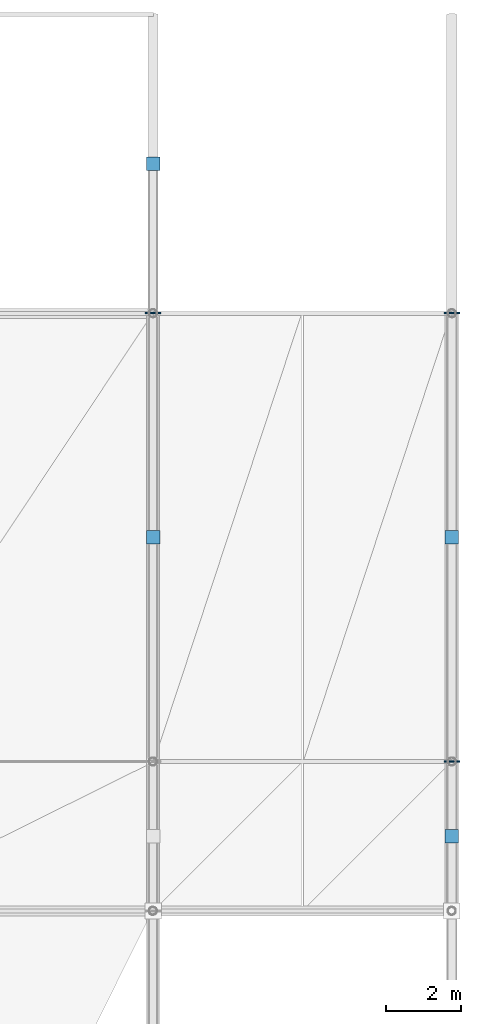
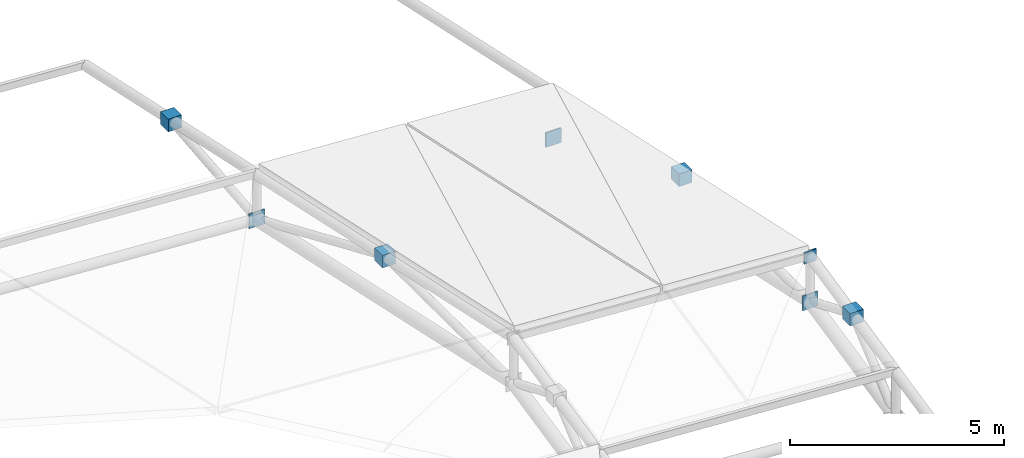
# One storey, part 62 of 67: 8 discrete accessories.
"""IFC4 building model written with IfcOpenShell, lengths in metres."""

import ifcopenshell
import ifcopenshell.guid

model = None  # the IFC model being written
_history = None  # IfcOwnerHistory: only IFC2X3 demands one
_inside = {}  # id of a spatial element -> (the spatial element, [elements in it])
_under = {}  # id of a project, library or spatial element -> (it, [spatial elements below it])
_declared = {}  # id of a project -> (the project, [libraries it declares])
_typed = {}  # id of a type object -> (the type object, [elements of that type])
_made_of = {}  # id of a material, layer set ... -> (it, [elements and type objects made of it])


def new_model(schema):
    """Start an empty IFC model of exactly this schema.

    Asked for "IFC4X3", IfcOpenShell would pick the latest addendum, in which some entities
    have other attributes; the version numbers below select the first issue.
    IFC2X3 requires an IfcOwnerHistory on every rooted entity: one is made here for all.
    """
    global model, _history
    if schema == "IFC4X3":
        model = ifcopenshell.file(schema_version=(4, 3, 0, 0))
    else:
        model = ifcopenshell.file(schema=schema)
    _inside.clear()
    _under.clear()
    _declared.clear()
    _typed.clear()
    _made_of.clear()
    _history = None
    if model.schema == "IFC2X3":
        org = make("IfcOrganization", Name="unknown")
        user = make(
            "IfcPersonAndOrganization",
            ThePerson=make("IfcPerson", FamilyName="unknown"),
            TheOrganization=org,
        )
        app = make(
            "IfcApplication",
            ApplicationDeveloper=org,
            Version="unknown",
            ApplicationFullName="unknown",
            ApplicationIdentifier="unknown",
        )
        _history = make(
            "IfcOwnerHistory",
            OwningUser=user,
            OwningApplication=app,
            ChangeAction="ADDED",
            CreationDate=0,
        )
    return model


def make(cls, **values):
    """One entity of the class cls with the attributes given. An attribute that is None is left unset."""
    return model.create_entity(
        cls, **{name: value for name, value in values.items() if value is not None}
    )


def rooted(cls, **values):
    """An entity with a GlobalId (a new one), such as an element, a storey or a relation."""
    return make(cls, GlobalId=ifcopenshell.guid.new(), OwnerHistory=_history, **values)


def si_unit(unit_type, name, prefix=None):
    """IfcSIUnit, for example si_unit("LENGTHUNIT", "METRE", prefix="MILLI")."""
    return make("IfcSIUnit", UnitType=unit_type, Prefix=prefix, Name=name)


def assignment(units):
    """IfcUnitAssignment: the units of a project."""
    return None if units is None else make("IfcUnitAssignment", Units=units)


def point(xyz):
    """IfcCartesianPoint."""
    return None if xyz is None else make("IfcCartesianPoint", Coordinates=xyz)


def direction(xyz):
    """IfcDirection."""
    return None if xyz is None else make("IfcDirection", DirectionRatios=xyz)


def frame(location, z_axis=None, x_axis=None):
    """IfcAxis2Placement3D, a coordinate frame: its origin and axes. An axis left out is left unset."""
    return make(
        "IfcAxis2Placement3D",
        Location=point(location),
        Axis=direction(z_axis),
        RefDirection=direction(x_axis),
    )


def frame_2d(location, x_axis=None):
    """IfcAxis2Placement2D, a coordinate frame in the plane: its origin and x axis."""
    return make(
        "IfcAxis2Placement2D", Location=point(location), RefDirection=direction(x_axis)
    )


def origin():
    """The frame at (0, 0, 0) with its axes left unset."""
    return frame((0.0, 0.0, 0.0))


def origin_2d():
    """The frame at (0, 0) in the plane with its x axis left unset."""
    return frame_2d((0.0, 0.0))


def place(relative_to, where):
    """IfcLocalPlacement: puts the frame where relative to a parent placement (None: the world)."""
    return make(
        "IfcLocalPlacement", PlacementRelTo=relative_to, RelativePlacement=where
    )


def context(
    kind, dimensions, precision=None, world=None, true_north=None, identifier=None
):
    """IfcGeometricRepresentationContext, for example the 3D "Model" context."""
    return make(
        "IfcGeometricRepresentationContext",
        ContextIdentifier=identifier,
        ContextType=kind,
        CoordinateSpaceDimension=dimensions,
        Precision=precision,
        WorldCoordinateSystem=world,
        TrueNorth=true_north,
    )


def subcontext(parent, identifier, kind, view, scale=None):
    """IfcGeometricRepresentationSubContext, for example "Body" below "Model"."""
    return make(
        "IfcGeometricRepresentationSubContext",
        ContextIdentifier=identifier,
        ContextType=kind,
        ParentContext=parent,
        TargetScale=scale,
        TargetView=view,
    )


def project(units=None, contexts=None):
    """IfcProject with its units and contexts."""
    return rooted(
        "IfcProject",
        Name="project",
        RepresentationContexts=contexts,
        UnitsInContext=assignment(units),
    )


def spatial(cls, under=None, at=None, **own):
    """A site, building, storey or space (cls), placed at a placement, below another one or the project."""
    s = rooted(cls, ObjectPlacement=at, **own)
    if under is not None:
        _under.setdefault(under.id(), (under, []))[1].append(s)
    return s


def profile(cls, at=None, kind="AREA", **sizes):
    """A parametric profile (cls). Its sizes go by their IFC names, for example OverallWidth=200.0."""
    return make(cls, ProfileType=kind, Position=at, **sizes)


def rectangle(**sizes):
    """IfcRectangleProfileDef."""
    return profile("IfcRectangleProfileDef", **sizes)


def extrude(swept, where, along, depth):
    """IfcExtrudedAreaSolid: the profile swept, set in the frame where, extruded along a direction by depth."""
    return make(
        "IfcExtrudedAreaSolid",
        SweptArea=swept,
        Position=where,
        ExtrudedDirection=direction(along),
        Depth=depth,
    )


def shape(context_of_items, identifier, shape_type, items):
    """IfcShapeRepresentation: the items that make up one representation, for example the "Body"."""
    return make(
        "IfcShapeRepresentation",
        ContextOfItems=context_of_items,
        RepresentationIdentifier=identifier,
        RepresentationType=shape_type,
        Items=items,
    )


def material(Name=None, Category=None):
    """IfcMaterial."""
    return make("IfcMaterial", Name=Name, Category=Category)


def made_of(thing, what):
    """Note that an element or type object is made of a material, layer set ...; save() writes the relation."""
    if what is not None:
        _made_of.setdefault(what.id(), (what, []))[1].append(thing)
    return thing


def type_object(cls, material=None, **own):
    """A type object (cls), such as IfcWallType, which elements share."""
    return made_of(rooted(cls, **own), material)


def element(
    cls,
    number,
    at=None,
    inside=None,
    cuts=None,
    type_object=None,
    material=None,
    context=None,
    identifier="Body",
    shape_type=None,
    held_by="IfcProductDefinitionShape",
    body=None,
    shapes=None,
    **own,
):
    """One element of the class cls, such as IfcWall. Its Tag is "e" and its number.

    at: its placement. inside: the storey or other place that contains it. cuts: it is an
    opening in that element (IfcRelVoidsElement). A single representation is given by context,
    identifier, shape_type and body (its items); several are given by shapes. held_by: the class
    of the entity that holds the representations. save() writes the other relations.
    """
    e = rooted(cls, Tag="e%d" % number, ObjectPlacement=at, **own)
    if body is not None:
        shapes = [shape(context, identifier, shape_type, body)]
    if shapes is not None:
        e.Representation = make(held_by, Representations=shapes)
    if inside is not None:
        _inside.setdefault(inside.id(), (inside, []))[1].append(e)
    if cuts is not None:
        rooted(
            "IfcRelVoidsElement", RelatingBuildingElement=cuts, RelatedOpeningElement=e
        )
    if type_object is not None:
        _typed.setdefault(type_object.id(), (type_object, []))[1].append(e)
    return made_of(e, material)


def aggregate(whole, parts):
    """IfcRelAggregates: a whole, such as a stair, and the parts it consists of."""
    return rooted("IfcRelAggregates", RelatingObject=whole, RelatedObjects=parts)


def save(model, path):
    """Write the relations noted so far, then the file.

    IfcRelAggregates (storeys below a building ...), IfcRelContainedInSpatialStructure (elements
    in a storey), IfcRelDefinesByType, IfcRelAssociatesMaterial and IfcRelDeclares: one each for
    every whole, place, type object, material and project.
    """
    for whole, parts in _under.values():
        aggregate(whole, parts)
    for where, things in _inside.values():
        rooted(
            "IfcRelContainedInSpatialStructure",
            RelatedElements=things,
            RelatingStructure=where,
        )
    for kind, things in _typed.values():
        rooted("IfcRelDefinesByType", RelatedObjects=things, RelatingType=kind)
    for what, things in _made_of.values():
        rooted("IfcRelAssociatesMaterial", RelatedObjects=things, RelatingMaterial=what)
    for by, libraries in _declared.values():
        rooted("IfcRelDeclares", RelatingContext=by, RelatedDefinitions=libraries)
    model.write(path)


model = new_model("IFC4")

# Units and contexts
model_context = context("Model", 3, precision=1e-05, world=origin(), true_north=direction((0.0, 1.0)))
body_context = subcontext(model_context, "Body", "Model", "MODEL_VIEW")
ifc_project = project(units=[si_unit("LENGTHUNIT", "METRE"), si_unit("AREAUNIT", "SQUARE_METRE"), si_unit("VOLUMEUNIT", "CUBIC_METRE"), si_unit("PLANEANGLEUNIT", "RADIAN"), si_unit("MASSUNIT", "GRAM", prefix="KILO")], contexts=[model_context])

# Site, building, storey
site_placement = place(None, origin())
site = spatial("IfcSite", under=ifc_project, at=site_placement, CompositionType="ELEMENT")
building_placement = place(site_placement, origin())
building = spatial("IfcBuilding", under=site, at=building_placement, Name="Drelvath Fold Interchange", CompositionType="ELEMENT")
storey_placement = place(building_placement, frame((0.0, 0.0, 15.60009765625)))
storey = spatial("IfcBuildingStorey", under=building, at=storey_placement, Name="L03", CompositionType="ELEMENT", Elevation=15.60009765625)

# Discrete accessories
ifc_material = material(Name="Steel ASTM A572 Grade 50", Category="steel")
discrete_accessory_type = type_object("IfcDiscreteAccessoryType", Name="AC-CAP380", PredefinedType="BRACKET", material=ifc_material)
discrete_accessory_1_placement = place(storey_placement, frame((166.0, 59.0048828125, -0.215087890625), z_axis=(0.0, 0.0, 1.0), x_axis=(1.0, 0.0, 0.0)))
element("IfcDiscreteAccessory", 1, at=discrete_accessory_1_placement, inside=storey, type_object=discrete_accessory_type, Name="Welded hollow member end cap 255", PredefinedType="BRACKET", context=body_context, shape_type="SweptSolid", body=[
    extrude(rectangle(XDim=0.416015625, YDim=0.0400390625, at=origin_2d()), origin(), (0.0, 0.0, 1.0), 0.416015625),
])
for number, where, z_axis, x_axis, name in (
    (2, (166.0, 53.0048828125, 2.392578125), (0.0, 0.0, 1.0), (1.0, 0.0, 0.0), "Welded hollow member end cap 256"),
    (3, (166.0, 63.0048828125, 0.21240234375), (0.0, 0.0, 1.0), (1.0, 0.0, 0.0), "Welded hollow member end cap 258"),
):
    element("IfcDiscreteAccessory", number, at=place(storey_placement, frame(where, z_axis=z_axis, x_axis=x_axis)), inside=storey, type_object=discrete_accessory_type, Name=name, PredefinedType="BRACKET", context=body_context, shape_type="SweptSolid", body=[
        extrude(rectangle(XDim=0.35888671875, YDim=0.35888671875, at=origin_2d()), origin(), (0.0, 0.0, 1.0), 0.35888671875),
    ])
discrete_accessory_2_placement = place(storey_placement, frame((174.0, 47.0048828125, 1.921875), z_axis=(0.0, 0.0, 1.0), x_axis=(1.0, 0.0, 0.0)))
element("IfcDiscreteAccessory", 4, at=discrete_accessory_2_placement, inside=storey, type_object=discrete_accessory_type, Name="Welded hollow member end cap 268", PredefinedType="BRACKET", context=body_context, shape_type="SweptSolid", body=[
    extrude(rectangle(XDim=0.416015625, YDim=0.0400390625, at=origin_2d()), origin(), (0.0, 0.0, 1.0), 0.416015625),
])
discrete_accessory_3_placement = place(storey_placement, frame((174.0, 47.0048828125, 3.2333984375), z_axis=(0.0, 0.0, 1.0), x_axis=(1.0, 0.0, 0.0)))
element("IfcDiscreteAccessory", 5, at=discrete_accessory_3_placement, inside=storey, type_object=discrete_accessory_type, Name="Welded hollow member end cap 269", PredefinedType="BRACKET", context=body_context, shape_type="SweptSolid", body=[
    extrude(rectangle(XDim=0.3330078125, YDim=0.0400390625, at=origin_2d()), origin(), (0.0, 0.0, 1.0), 0.3330078125),
])
discrete_accessory_4_placement = place(storey_placement, frame((174.0, 45.00390625, 2.786376953125), z_axis=(0.0, 0.0, 1.0), x_axis=(1.0, 0.0, 0.0)))
element("IfcDiscreteAccessory", 6, at=discrete_accessory_4_placement, inside=storey, type_object=discrete_accessory_type, Name="Welded hollow member end cap 270", PredefinedType="BRACKET", context=body_context, shape_type="SweptSolid", body=[
    extrude(rectangle(XDim=0.35888671875, YDim=0.35888671875, at=origin_2d()), origin(), (0.0, 0.0, 1.0), 0.35888671875),
])
discrete_accessory_5_placement = place(storey_placement, frame((174.0, 59.0048828125, -0.696044921875), z_axis=(0.0, 0.0, 1.0), x_axis=(1.0, 0.0, 0.0)))
element("IfcDiscreteAccessory", 7, at=discrete_accessory_5_placement, inside=storey, type_object=discrete_accessory_type, Name="Welded hollow member end cap 271", PredefinedType="BRACKET", context=body_context, shape_type="SweptSolid", body=[
    extrude(rectangle(XDim=0.416015625, YDim=0.0400390625, at=origin_2d()), origin(), (0.0, 0.0, 1.0), 0.416015625),
])
discrete_accessory_6_placement = place(storey_placement, frame((174.0, 53.0048828125, 1.911376953125), z_axis=(0.0, 0.0, 1.0), x_axis=(1.0, 0.0, 0.0)))
element("IfcDiscreteAccessory", 8, at=discrete_accessory_6_placement, inside=storey, type_object=discrete_accessory_type, Name="Welded hollow member end cap 272", PredefinedType="BRACKET", context=body_context, shape_type="SweptSolid", body=[
    extrude(rectangle(XDim=0.35888671875, YDim=0.35888671875, at=origin_2d()), origin(), (0.0, 0.0, 1.0), 0.35888671875),
])

save(model, "model.ifc")
